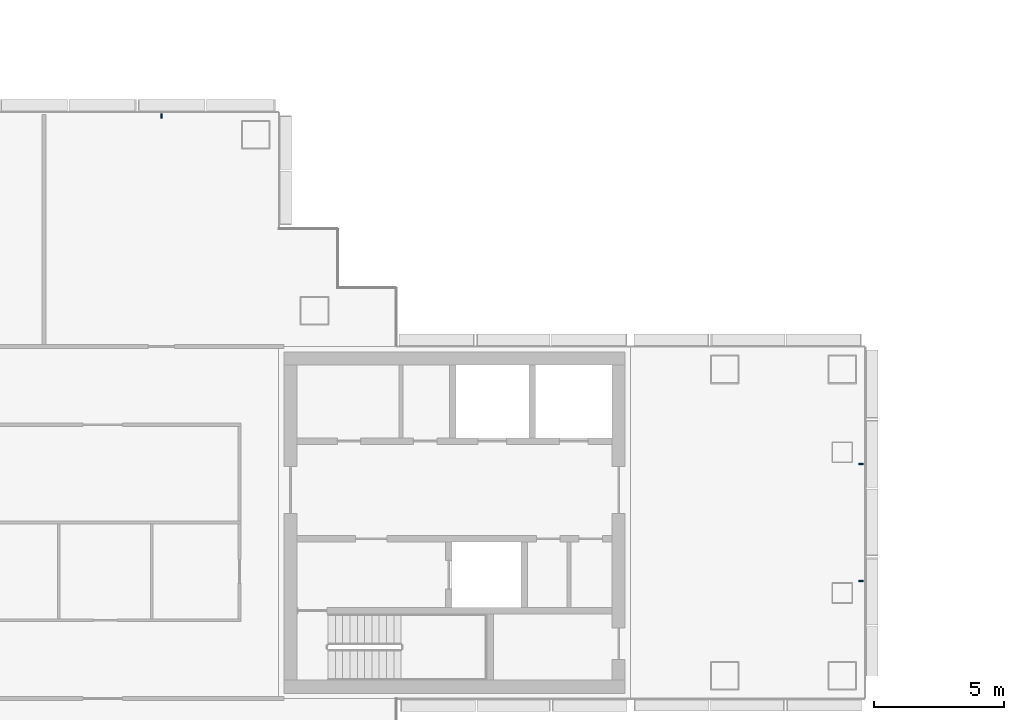
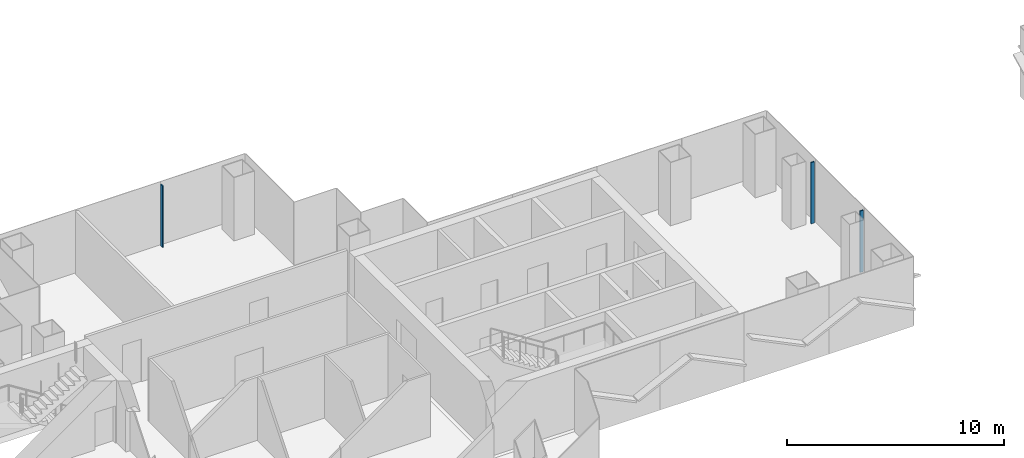
# One storey, part 4 of 16: 3 members, 2 elements without a shape of their own.
"""IFC4 building model written with IfcOpenShell, lengths in metres."""

from ifc_helpers import new_model, si_unit, direction, frame, origin, origin_2d, place, context, subcontext, project, spatial, rectangle, extrude, material, layer, layer_set, material_profile, profile_set, type_object, element, aggregate, save


model = new_model("IFC4")

# Units and contexts
model_context = context("Model", 3, precision=1e-05, world=origin(), true_north=direction((0.0, 1.0)))
body_context = subcontext(model_context, "Body", "Model", "MODEL_VIEW")
ifc_project = project(units=[si_unit("LENGTHUNIT", "METRE"), si_unit("AREAUNIT", "SQUARE_METRE"), si_unit("VOLUMEUNIT", "CUBIC_METRE"), si_unit("PLANEANGLEUNIT", "RADIAN"), si_unit("MASSUNIT", "GRAM", prefix="KILO")], contexts=[model_context])

# Site, building, storey
site_placement = place(None, origin())
site = spatial("IfcSite", under=ifc_project, at=site_placement, CompositionType="ELEMENT")
building_placement = place(site_placement, origin())
building = spatial("IfcBuilding", under=site, at=building_placement, Name="Shamsa Quay Exchange Towers", CompositionType="ELEMENT")
storey_placement = place(building_placement, frame((0.0, 0.0, 162.300048828125)))
storey = spatial("IfcBuildingStorey", under=building, at=storey_placement, Name="L38", CompositionType="ELEMENT", Elevation=162.300048828125)

# Curtain wall, members
ifc_material = material(Name="Aluminium EN AW-6063 T6, black anodised", Category="aluminium")
ifc_layer = layer(ifc_material, 0.280029296875)
ifc_layer_set = layer_set([ifc_layer], Name="CW-1 UNITISED VISION GLASS")
curtain_wall_type = type_object("IfcCurtainWallType", Name="CW-1 UNITISED VISION GLASS", PredefinedType="NOTDEFINED", material=ifc_layer_set)
curtain_wall_1_placement = place(storey_placement, origin())
curtain_wall_1 = element("IfcCurtainWall", 1, at=curtain_wall_1_placement, inside=storey, type_object=curtain_wall_type, Name="CW1 T1-END-U+ L38", PredefinedType="NOTDEFINED")
ifc_material_profile = material_profile(ifc_material, rectangle(XDim=0.179931640625, YDim=0.06005859375, at=origin_2d()), Name="MU60x180")
ifc_profile_set = profile_set([ifc_material_profile], Name="Aluminium EN AW-6063 T6, black anodised")
member_type = type_object("IfcMemberType", Name="CW1 MULLION 60x180", PredefinedType="MULLION", material=ifc_profile_set)
member_1_placement = place(storey_placement, frame((-4.64990234375, -2.25, 0.0), z_axis=(0.0, 0.0, 1.0), x_axis=(-1.0, 0.0, 0.0)))
member_1 = element("IfcMember", 2, at=member_1_placement, type_object=member_type, Name="CW1 mullion", PredefinedType="MULLION", context=body_context, shape_type="SweptSolid", body=[
    extrude(rectangle(XDim=0.179931640625, YDim=0.06005859375, at=origin_2d()), origin(), (0.0, 0.0, 1.0), 3.449951171875),
])
member_2_placement = place(storey_placement, frame((-4.64990234375, 2.25, 0.0), z_axis=(0.0, 0.0, 1.0), x_axis=(-1.0, 0.0, 0.0)))
member_2 = element("IfcMember", 3, at=member_2_placement, type_object=member_type, Name="CW1 mullion", PredefinedType="MULLION", context=body_context, shape_type="SweptSolid", body=[
    extrude(rectangle(XDim=0.179931640625, YDim=0.06005859375, at=origin_2d()), origin(), (0.0, 0.0, 1.0), 3.449951171875),
])
aggregate(curtain_wall_1, [member_1, member_2])

# Curtain wall, member
curtain_wall_2_placement = place(storey_placement, origin())
curtain_wall_2 = element("IfcCurtainWall", 4, at=curtain_wall_2_placement, inside=storey, type_object=curtain_wall_type, Name="CW1 T1-END-V+ L38", PredefinedType="NOTDEFINED")
member_3_placement = place(storey_placement, frame((-31.5, 15.60009765625, 0.0), z_axis=(0.0, 0.0, 1.0), x_axis=(0.0, -1.0, 0.0)))
member_3 = element("IfcMember", 5, at=member_3_placement, type_object=member_type, Name="CW1 mullion", PredefinedType="MULLION", context=body_context, shape_type="SweptSolid", body=[
    extrude(rectangle(XDim=0.179931640625, YDim=0.06005859375, at=origin_2d()), origin(), (0.0, 0.0, 1.0), 3.449951171875),
])
aggregate(curtain_wall_2, [member_3])

save(model, "model.ifc")
